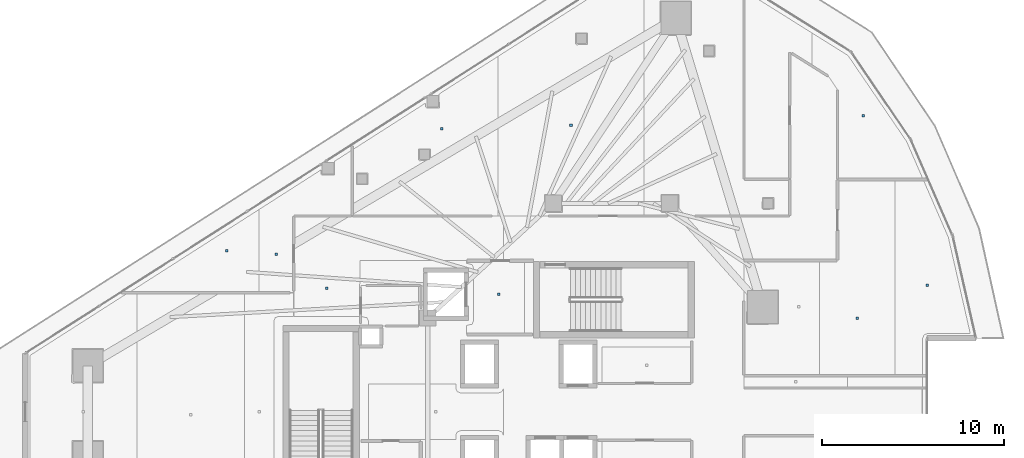
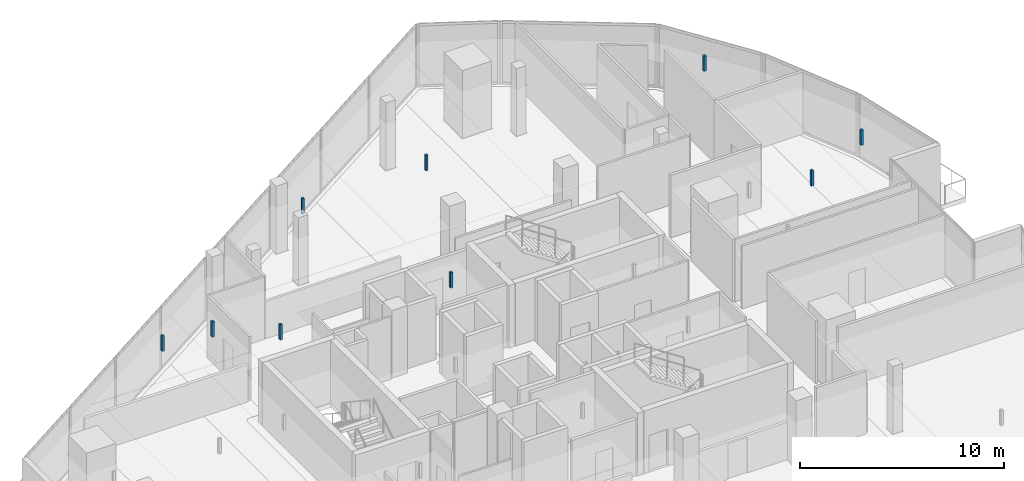
# One storey, part 28 of 34: 9 discrete accessories.
"""IFC4 building model written with IfcOpenShell, lengths in metres."""

from ifc_helpers import new_model, si_unit, direction, frame, origin, origin_2d, place, context, subcontext, project, spatial, rectangle, extrude, material, type_object, element, save


model = new_model("IFC4")

# Units and contexts
model_context = context("Model", 3, precision=1e-05, world=origin(), true_north=direction((0.0, 1.0)))
body_context = subcontext(model_context, "Body", "Model", "MODEL_VIEW")
ifc_project = project(units=[si_unit("LENGTHUNIT", "METRE"), si_unit("AREAUNIT", "SQUARE_METRE"), si_unit("VOLUMEUNIT", "CUBIC_METRE"), si_unit("PLANEANGLEUNIT", "RADIAN"), si_unit("MASSUNIT", "GRAM", prefix="KILO")], contexts=[model_context])

# Site, building, storey
site_placement = place(None, origin())
site = spatial("IfcSite", under=ifc_project, at=site_placement, CompositionType="ELEMENT")
building_placement = place(site_placement, origin())
building = spatial("IfcBuilding", under=site, at=building_placement, Name="Qorvath Tower", CompositionType="ELEMENT")
storey_placement = place(building_placement, frame((0.0, 0.0, 245.550048828125)))
storey = spatial("IfcBuildingStorey", under=building, at=storey_placement, Name="L57", CompositionType="ELEMENT", Elevation=245.550048828125)

# Discrete accessories
ifc_material = material(Name="Galvanised steel bracket", Category="steel")
discrete_accessory_type = type_object("IfcDiscreteAccessoryType", Name="DA-BRACKET", PredefinedType="BRACKET", material=ifc_material)
for number, where, z_axis, x_axis, name in (
    (1, (-26.590087890625, 6.449951171875, 2.85986328125), (0.0, 0.0, 1.0), (1.0, 0.0, 0.0), "Acoustic Ceiling Suspension Hanger T1-L57-001"),
    (2, (-36.040283203125, 6.782470703125, 2.85986328125), (0.0, 0.0, 1.0), (1.0, 0.0, 0.0), "Acoustic Ceiling Suspension Hanger T1-L57-009"),
    (3, (-29.72119140625, 15.55810546875, 2.85986328125), (0.0, 0.0, 1.0), (1.0, 0.0, 0.0), "Acoustic Ceiling Suspension Hanger T1-L57-011"),
    (4, (-22.62890625, 15.733642578125, 2.85986328125), (0.0, 0.0, 1.0), (1.0, 0.0, 0.0), "Acoustic Ceiling Suspension Hanger T1-L57-012"),
    (5, (-6.916748046875, 5.151123046875, 2.85986328125), (0.0, 0.0, 1.0), (1.0, 0.0, 0.0), "Acoustic Ceiling Suspension Hanger T1-L57-021"),
    (6, (-3.072265625, 6.94140625, 2.85986328125), (0.0, 0.0, 1.0), (1.0, 0.0, 0.0), "Acoustic Ceiling Suspension Hanger T1-L57-022"),
    (7, (-6.576171875, 16.2724609375, 2.85986328125), (0.0, 0.0, 1.0), (1.0, 0.0, 0.0), "Acoustic Ceiling Suspension Hanger T1-L57-024"),
    (8, (-41.539794921875, 8.83642578125, 2.85986328125), (0.0, 0.0, 1.0), (1.0, 0.0, 0.0), "Acoustic Ceiling Suspension Hanger T1-L57-028"),
    (9, (-38.808349609375, 8.657470703125, 2.85986328125), (0.0, 0.0, 1.0), (1.0, 0.0, 0.0), "Acoustic Ceiling Suspension Hanger T1-L57-029"),
):
    element("IfcDiscreteAccessory", number, at=place(storey_placement, frame(where, z_axis=z_axis, x_axis=x_axis)), inside=storey, type_object=discrete_accessory_type, Name=name, PredefinedType="NOTDEFINED", context=body_context, shape_type="SweptSolid", body=[
        extrude(rectangle(XDim=0.139892578125, YDim=0.139892578125, at=origin_2d()), origin(), (0.0, 0.0, 1.0), 0.920166015625),
    ])

save(model, "model.ifc")
